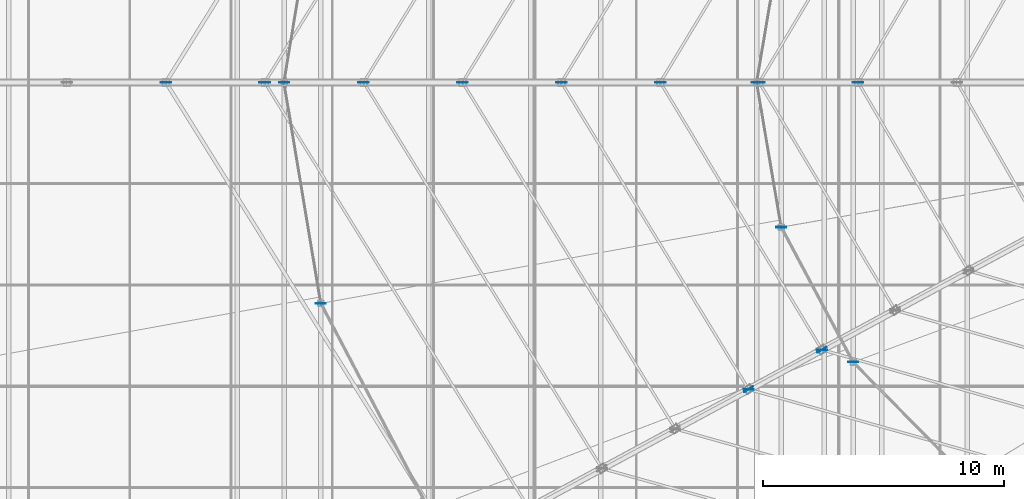
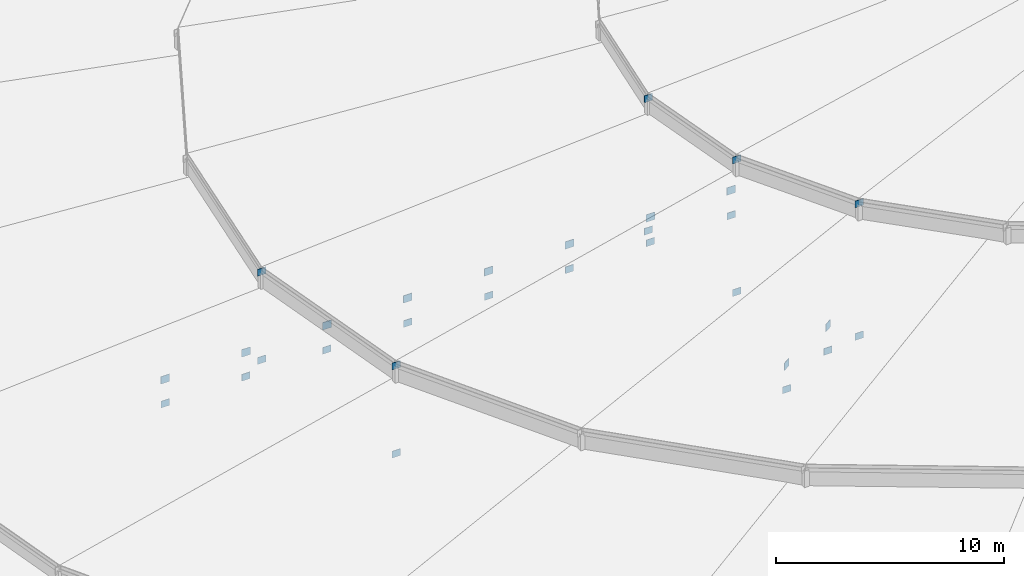
# One storey, part 163 of 184: 30 plates.
"""IFC4 building model written with IfcOpenShell, lengths in metres."""

from ifc_helpers import new_model, si_unit, direction, frame, origin, origin_2d, place, context, subcontext, project, spatial, rectangle, extrude, material, layer, layer_set, type_object, element, save


model = new_model("IFC4")

# Units and contexts
model_context = context("Model", 3, precision=1e-05, world=origin(), true_north=direction((0.0, 1.0)))
body_context = subcontext(model_context, "Body", "Model", "MODEL_VIEW")
ifc_project = project(units=[si_unit("LENGTHUNIT", "METRE"), si_unit("AREAUNIT", "SQUARE_METRE"), si_unit("VOLUMEUNIT", "CUBIC_METRE"), si_unit("PLANEANGLEUNIT", "RADIAN"), si_unit("MASSUNIT", "GRAM", prefix="KILO")], contexts=[model_context])

# Site, building, storey
site_placement = place(None, origin())
site = spatial("IfcSite", under=ifc_project, at=site_placement, CompositionType="ELEMENT")
building_placement = place(site_placement, origin())
building = spatial("IfcBuilding", under=site, at=building_placement, Name="Kalgoora Escarpment Arena", CompositionType="ELEMENT")
storey_placement = place(building_placement, frame((0.0, 0.0, 27.60009765625)))
storey = spatial("IfcBuildingStorey", under=building, at=storey_placement, Name="Roof Level", CompositionType="ELEMENT", Elevation=27.60009765625)

# Plates
ifc_material = material(Name="Structural steel Grade 350 (350 MPa)", Category="steel")
ifc_layer = layer(ifc_material, 0.02490234375)
ifc_layer_set = layer_set([ifc_layer], Name="PLT-GUSSET-25")
plate_type = type_object("IfcPlateType", Name="PLT-GUSSET-25", PredefinedType="USERDEFINED", material=ifc_layer_set)
for number, where, z_axis, x_axis, name in (
    (1, (51.89990234375, 64.0, -0.5400390625), (0.0, 0.0, 1.0), (1.0, 0.0, 0.0), "Radial ROOF TRUSS node gusset plate S5-2"),
    (2, (56.0, 64.0, -0.530029296875), (0.0, 0.0, 1.0), (1.0, 0.0, 0.0), "Radial ROOF TRUSS node gusset plate S5-3"),
    (3, (60.10009765625, 64.0, -0.52001953125), (0.0, 0.0, 1.0), (1.0, 0.0, 0.0), "Radial ROOF TRUSS node gusset plate S5-4"),
    (4, (64.199951171875, 64.0, -0.510009765625), (0.0, 0.0, 1.0), (1.0, 0.0, 0.0), "Radial ROOF TRUSS node gusset plate S5-5"),
    (5, (68.300048828125, 64.0, -0.5), (0.0, 0.0, 1.0), (1.0, 0.0, 0.0), "Radial ROOF TRUSS node gusset plate S5-6"),
    (6, (72.39990234375, 64.0, -0.489990234375), (0.0, 0.0, 1.0), (1.0, 0.0, 0.0), "Radial ROOF TRUSS node gusset plate S5-7"),
    (7, (76.5, 64.0, -0.47998046875), (0.0, 0.0, 1.0), (1.0, 0.0, 0.0), "Radial ROOF TRUSS node gusset plate S5-8"),
    (8, (80.60009765625, 64.0, -0.469970703125), (0.0, 0.0, 1.0), (1.0, 0.0, 0.0), "Radial ROOF TRUSS node gusset plate S5-9"),
    (9, (76.061767578125, 51.272216796875, -0.5), (0.0, 0.0, 1.0), (0.84179353575, 0.539799632428, 0.0), "Radial ROOF TRUSS node gusset plate S6-6"),
    (10, (79.101318359375, 52.91259765625, -0.489990234375), (0.0, 0.0, 1.0), (0.84179353575, 0.539799632428, 0.0), "Radial ROOF TRUSS node gusset plate S6-7"),
):
    element("IfcPlate", number, at=place(storey_placement, frame(where, z_axis=z_axis, x_axis=x_axis)), inside=storey, type_object=plate_type, Name=name, ObjectType="FLANGE PLATE", PredefinedType="USERDEFINED", context=body_context, shape_type="SweptSolid", body=[
        extrude(rectangle(XDim=0.43994140625, YDim=0.02490234375, at=origin_2d()), origin(), (0.0, 0.0, 1.0), 0.39990234375),
    ])
for number, where, z_axis, x_axis, name in (
    (11, (51.89990234375, 64.0, -1.8251953125), (0.0, 0.0, 1.0), (1.0, 0.0, 0.0), "Brace and post end gusset plate 113"),
    (12, (56.0, 64.0, -1.8203125), (0.0, 0.0, 1.0), (1.0, 0.0, 0.0), "Brace and post end gusset plate 114"),
    (13, (60.10009765625, 64.0, -1.81494140625), (0.0, 0.0, 1.0), (1.0, 0.0, 0.0), "Brace and post end gusset plate 115"),
    (14, (64.199951171875, 64.0, -1.81005859375), (0.0, 0.0, 1.0), (1.0, 0.0, 0.0), "Brace and post end gusset plate 116"),
    (15, (68.300048828125, 64.0, -1.80517578125), (0.0, 0.0, 1.0), (1.0, 0.0, 0.0), "Brace and post end gusset plate 117"),
    (16, (72.39990234375, 64.0, -1.80029296875), (0.0, 0.0, 1.0), (1.0, 0.0, 0.0), "Brace and post end gusset plate 118"),
    (17, (76.5, 64.0, -1.794921875), (0.0, 0.0, 1.0), (1.0, 0.0, 0.0), "Brace and post end gusset plate 119"),
    (18, (80.60009765625, 64.0, -1.7900390625), (0.0, 0.0, 1.0), (1.0, 0.0, 0.0), "Brace and post end gusset plate 120"),
    (19, (76.061767578125, 51.272216796875, -1.80517578125), (0.0, 0.0, 1.0), (1.0, 0.0, 0.0), "Brace and post end gusset plate 128"),
    (20, (79.101318359375, 52.91259765625, -1.80029296875), (0.0, 0.0, 1.0), (1.0, 0.0, 0.0), "Brace and post end gusset plate 129"),
    (21, (56.800048828125, 64.0, -1.2001953125), (0.0, 0.0, 1.0), (1.0, 0.0, 0.0), "Brace and post end gusset plate 250"),
    (22, (56.800048828125, 64.0, 3.52490234375), (0.0, 0.0, 1.0), (1.0, 0.0, 0.0), "Brace and post end gusset plate 251"),
    (23, (58.326416015625, 54.837890625, -1.2001953125), (0.0, 0.0, 1.0), (1.0, 0.0, 0.0), "Brace and post end gusset plate 252"),
    (24, (58.326416015625, 54.837890625, 3.52490234375), (0.0, 0.0, 1.0), (1.0, 0.0, 0.0), "Brace and post end gusset plate 253"),
    (25, (76.39990234375, 64.0, -1.14013671875), (0.0, 0.0, 1.0), (1.0, 0.0, 0.0), "Brace and post end gusset plate 298"),
    (26, (76.39990234375, 64.0, 5.96484375), (0.0, 0.0, 1.0), (1.0, 0.0, 0.0), "Brace and post end gusset plate 299"),
    (27, (77.415283203125, 57.995361328125, -1.14013671875), (0.0, 0.0, 1.0), (1.0, 0.0, 0.0), "Brace and post end gusset plate 300"),
    (28, (77.415283203125, 57.995361328125, 5.96484375), (0.0, 0.0, 1.0), (1.0, 0.0, 0.0), "Brace and post end gusset plate 301"),
    (29, (80.392333984375, 52.39990234375, -1.14013671875), (0.0, 0.0, 1.0), (1.0, 0.0, 0.0), "Brace and post end gusset plate 302"),
    (30, (80.392333984375, 52.39990234375, 5.96484375), (0.0, 0.0, 1.0), (1.0, 0.0, 0.0), "Brace and post end gusset plate 303"),
):
    element("IfcPlate", number, at=place(storey_placement, frame(where, z_axis=z_axis, x_axis=x_axis)), inside=storey, type_object=plate_type, Name=name, ObjectType="FLANGE PLATE", PredefinedType="USERDEFINED", context=body_context, shape_type="SweptSolid", body=[
        extrude(rectangle(XDim=0.419921875, YDim=0.02490234375, at=origin_2d()), origin(), (0.0, 0.0, 1.0), 0.360107421875),
    ])

save(model, "model.ifc")
